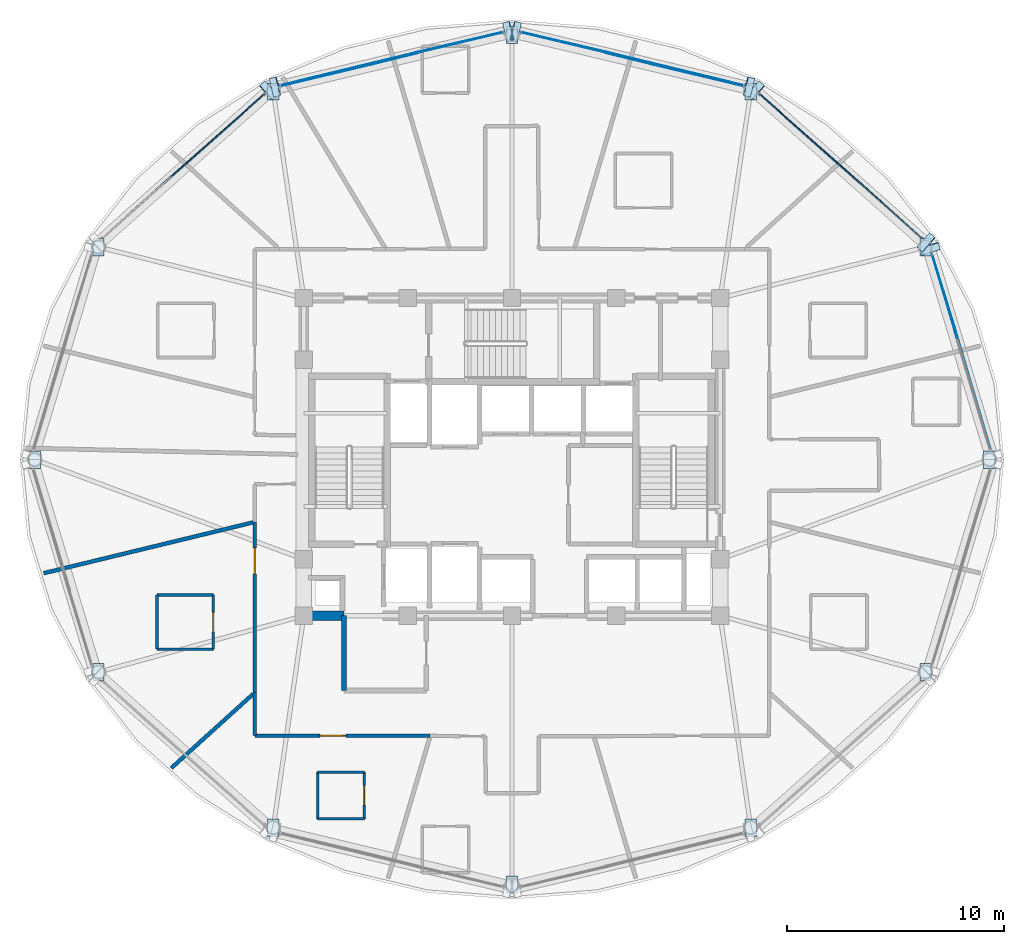
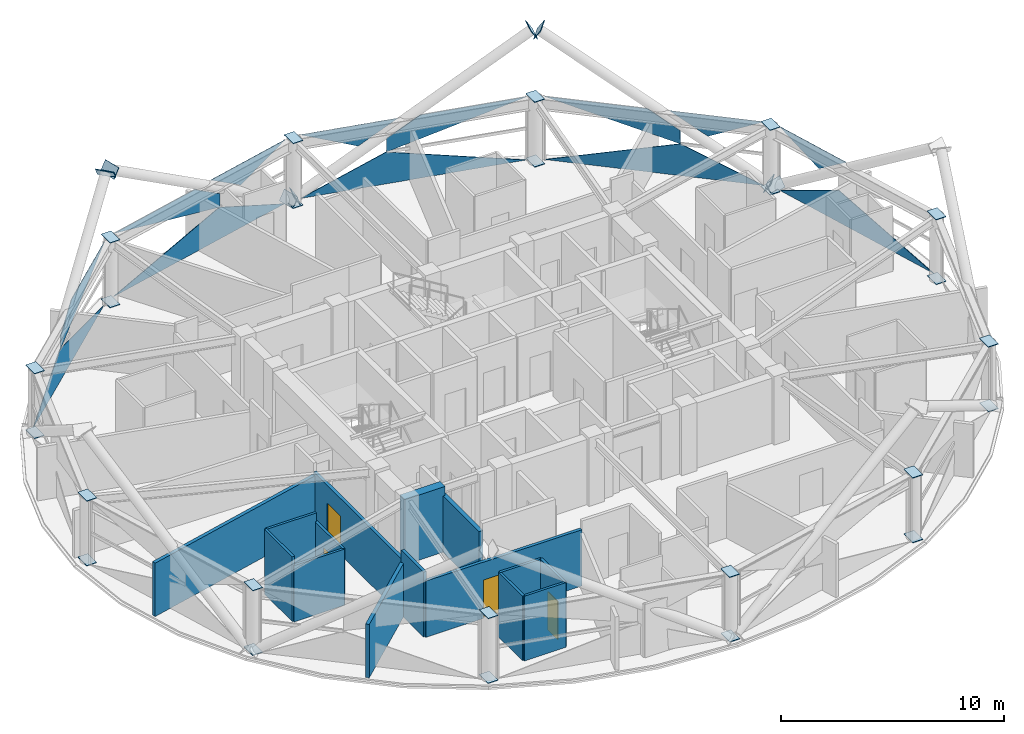
# One storey, part 21 of 29: 45 plates, 15 walls, 4 doors, 4 openings, 5 elements without a shape of their own.
"""IFC4 building model written with IfcOpenShell, lengths in metres."""

from ifc_helpers import new_model, si_unit, direction, frame, frame_2d, origin, place, context, subcontext, project, spatial, polyline, rectangle, outline, extrude, material, layer, layer_set, type_object, element, fill, aggregate, save


model = new_model("IFC4")

# Units and contexts
model_context = context("Model", 3, precision=1e-05, world=origin(), true_north=direction((0.0, 1.0)))
body_context = subcontext(model_context, "Body", "Model", "MODEL_VIEW")
ifc_project = project(units=[si_unit("LENGTHUNIT", "METRE"), si_unit("AREAUNIT", "SQUARE_METRE"), si_unit("VOLUMEUNIT", "CUBIC_METRE"), si_unit("PLANEANGLEUNIT", "RADIAN"), si_unit("MASSUNIT", "GRAM", prefix="KILO")], contexts=[model_context])

# Site, building, storey
site_placement = place(None, origin())
site = spatial("IfcSite", under=ifc_project, at=site_placement, CompositionType="ELEMENT")
building_placement = place(site_placement, origin())
building = spatial("IfcBuilding", under=site, at=building_placement, Name="Vantalir Tower", CompositionType="ELEMENT")
storey_placement = place(building_placement, frame((0.0, 0.0, 219.89990234375)))
storey = spatial("IfcBuildingStorey", under=building, at=storey_placement, Name="L55", CompositionType="ELEMENT", Elevation=219.89990234375)

# Curtain wall, plates
ifc_material_1 = material(Name="Champagne-silver PVDF aluminium and double-silver Low-E glass", Category="aluminium")
ifc_layer_1 = layer(ifc_material_1, 0.2099609375)
ifc_layer_set_1 = layer_set([ifc_layer_1], Name="Champagne-silver PVDF aluminium and double-silver Low-E glass")
curtain_wall_type = type_object("IfcCurtainWallType", Name="CW-DIAMOND-Z3", PredefinedType="USERDEFINED", material=ifc_layer_set_1)
curtain_wall_1_placement = place(storey_placement, origin())
curtain_wall_1 = element("IfcCurtainWall", 1, at=curtain_wall_1_placement, inside=storey, type_object=curtain_wall_type, Name="L55 Quilted Pyramid-Diamond Curtain Wall S01", ObjectType="UNITISED CURTAIN WALL", PredefinedType="USERDEFINED")
ifc_material_2 = material(Name="Double-silver Low-E acoustic glass IGU", Category="glass")
ifc_layer_2 = layer(ifc_material_2, 0.031982421875)
ifc_layer_set_2 = layer_set([ifc_layer_2], Name="Double-silver Low-E acoustic glass IGU")
plate_type_1 = type_object("IfcPlateType", Name="CWP-IGU-32", PredefinedType="CURTAIN_PANEL", material=ifc_layer_set_2)
plate_1_placement = place(storey_placement, frame((53.58056640625, 25.406982421875, 0.046875), z_axis=(-0.957545460034, -0.287948928144, 0.01386025788), x_axis=(-0.287976248669, 0.957637551237, 2.5751252e-05)))
plate_1 = element("IfcPlate", 2, at=plate_1_placement, type_object=plate_type_1, Name="CW-L55-S01 Pyramid Diamond Facet 1L", PredefinedType="CURTAIN_PANEL", context=body_context, shape_type="SweptSolid", body=[
    extrude(outline(polyline([(0.0, 0.0), (9.48072843506402, -3.2255014631443757e-18), (5.873310412618822, -1.725600450684051), (0.0, 0.0)])), origin(), (0.0, 0.0, -1.0), 0.031982421875),
])
plate_2_placement = place(storey_placement, frame((52.05419921875, 30.607666015625, 3.523681640625), z_axis=(0.957547937677, 0.28794366385, 0.013798315063), x_axis=(-0.287971079066, 0.957639106147, 0.0)))
plate_2 = element("IfcPlate", 3, at=plate_2_placement, type_object=plate_type_1, Name="CW-L55-S01 Pyramid Diamond Facet 2U Infill Light", PredefinedType="CURTAIN_PANEL", context=body_context, shape_type="SweptSolid", body=[
    extrude(outline(polyline([(0.0, 0.0), (4.060941110971159, 3.469446951953614e-18), (1.6584606328741354, -1.1492793347398085), (0.0, 0.0)])), origin(), (0.0, 0.0, -1.0), 0.031982421875),
])
aggregate(curtain_wall_1, [plate_1, plate_2])

curtain_wall_2_placement = place(storey_placement, origin())
curtain_wall_2 = element("IfcCurtainWall", 4, at=curtain_wall_2_placement, inside=storey, type_object=curtain_wall_type, Name="L55 Quilted Pyramid-Diamond Curtain Wall S02", ObjectType="UNITISED CURTAIN WALL", PredefinedType="USERDEFINED")
plate_3_placement = place(storey_placement, frame((50.410888671875, 35.17578125, 0.046875), z_axis=(-0.665261450361, -0.746487707124, 0.01353904634), x_axis=(-0.746556353236, 0.66532218575, -2.4328891e-05)))
plate_3 = element("IfcPlate", 5, at=plate_3_placement, type_object=plate_type_1, Name="CW-L55-S02 Pyramid Diamond Facet 1L", PredefinedType="CURTAIN_PANEL", context=body_context, shape_type="SweptSolid", body=[
    extrude(outline(polyline([(0.0, 0.0), (10.035008323591855, -5.421010862427522e-18), (3.8142440704748686, -1.7260810825309927), (0.0, 0.0)])), origin(), (0.0, 0.0, -1.0), 0.031982421875),
])
plate_4_placement = place(storey_placement, frame((46.446533203125, 38.708740234375, 3.5234375), z_axis=(0.665260984347, 0.746487929362, 0.013549687172), x_axis=(-0.746556463605, 0.66532206235, -6.1526e-08)))
plate_4 = element("IfcPlate", 6, at=plate_4_placement, type_object=plate_type_1, Name="CW-L55-S02 Pyramid Diamond Facet 2U", PredefinedType="CURTAIN_PANEL", context=body_context, shape_type="SweptSolid", body=[
    extrude(outline(polyline([(0.0, 0.0), (4.724837563716555, 6.938893903907228e-18), (-1.4958845954408355, -1.7262327810690576), (-1.4959988890085334, -0.9839774318241932), (0.0, 0.0)])), origin(), (0.0, 0.0, -1.0), 0.031982421875),
])
plate_5_placement = place(storey_placement, frame((50.434814453125, 35.20263671875, 3.523681640625), z_axis=(0.66525589067, 0.74649266221, 0.01353902491), x_axis=(-0.746561598804, 0.665316297697, 5.6656416e-05)))
plate_5 = element("IfcPlate", 7, at=plate_5_placement, type_object=plate_type_1, Name="CW-L55-S02 Pyramid Diamond Facet 2U Infill Light", PredefinedType="CURTAIN_PANEL", context=body_context, shape_type="SweptSolid", body=[
    extrude(outline(polyline([(0.0, 0.0), (4.309143439441601, 3.957337929572091e-18), (2.5525305173533726, -1.1552798052092268), (0.0, 0.0)])), origin(), (0.0, 0.0, -1.0), 0.031982421875),
])
aggregate(curtain_wall_2, [plate_3, plate_4, plate_5])

curtain_wall_3_placement = place(storey_placement, origin())
curtain_wall_3 = element("IfcCurtainWall", 8, at=curtain_wall_3_placement, inside=storey, type_object=curtain_wall_type, Name="L55 Quilted Pyramid-Diamond Curtain Wall S03", ObjectType="UNITISED CURTAIN WALL", PredefinedType="USERDEFINED")
plate_6_placement = place(storey_placement, frame((42.188720703125, 42.233642578125, 0.046630859375), z_axis=(-0.232233400525, -0.972562501405, 0.013777827875), x_axis=(-0.972654750392, 0.232255755594, 2.3110025e-05)))
plate_6 = element("IfcPlate", 9, at=plate_6_placement, type_object=plate_type_1, Name="CW-L55-S03 Pyramid Diamond Facet 1L", PredefinedType="CURTAIN_PANEL", context=body_context, shape_type="SweptSolid", body=[
    extrude(outline(polyline([(0.0, 0.0), (10.56427331575007, 4.363913744254155e-18), (6.544886132642092, -1.726330968572304), (0.0, 0.0)])), origin(), (0.0, 0.0, -1.0), 0.031982421875),
])
plate_7_placement = place(storey_placement, frame((42.188720703125, 42.233642578125, 3.523681640625), z_axis=(0.232232850442, 0.972562851595, 0.013762371649), x_axis=(-0.972654809729, 0.232255503064, -4.9075755e-05)))
plate_7 = element("IfcPlate", 10, at=plate_7_placement, type_object=plate_type_1, Name="CW-L55-S03 Pyramid Diamond Facet 2U", PredefinedType="CURTAIN_PANEL", context=body_context, shape_type="SweptSolid", body=[
    extrude(outline(polyline([(0.0, 0.0), (4.982443629568016, -2.087089182034596e-18), (6.544944140739554, -0.9797520601737163), (6.544930957435923, -1.7264051820015613), (0.0, 0.0)])), origin(), (0.0, 0.0, -1.0), 0.031982421875),
])
plate_8_placement = place(storey_placement, frame((36.343994140625, 43.666259765625, 3.52392578125), z_axis=(0.23226619267, 0.972554279712, 0.013805388684), x_axis=(-0.972646971917, 0.232288329497, 0.0)))
plate_8 = element("IfcPlate", 11, at=plate_8_placement, type_object=plate_type_1, Name="CW-L55-S03 Pyramid Diamond Facet 2U Infill Light", PredefinedType="CURTAIN_PANEL", context=body_context, shape_type="SweptSolid", body=[
    extrude(outline(polyline([(0.0, 0.0), (4.5467301178491875, -1.734723475976807e-18), (1.8479654880416123, -1.1590460027064833), (0.0, 0.0)])), origin(), (0.0, 0.0, -1.0), 0.031982421875),
])
aggregate(curtain_wall_3, [plate_6, plate_7, plate_8])

curtain_wall_4_placement = place(storey_placement, origin())
curtain_wall_4 = element("IfcCurtainWall", 12, at=curtain_wall_4_placement, inside=storey, type_object=curtain_wall_type, Name="L55 Quilted Pyramid-Diamond Curtain Wall S04", ObjectType="UNITISED CURTAIN WALL", PredefinedType="USERDEFINED")
plate_9_placement = place(storey_placement, frame((31.086669921875, 44.687255859375, 0.046875), z_axis=(0.232254227712, -0.972557284976, 0.013794968273), x_axis=(-0.972649763247, -0.232276640068, -2.3112103e-05)))
plate_9 = element("IfcPlate", 13, at=plate_9_placement, type_object=plate_type_1, Name="CW-L55-S04 Pyramid Diamond Facet 1L", PredefinedType="CURTAIN_PANEL", context=body_context, shape_type="SweptSolid", body=[
    extrude(outline(polyline([(0.0, 0.0), (10.563323460030409, -3.984442983884229e-18), (4.01914920456748, -1.7263313794420976), (0.0, 0.0)])), origin(), (0.0, 0.0, -1.0), 0.031982421875),
])
plate_10_placement = place(storey_placement, frame((25.657958984375, 43.390869140625, 3.5234375), z_axis=(-0.232256525743, 0.972557045358, 0.013773154092), x_axis=(-0.972649147278, -0.232279215371, 4.9058237e-05)))
plate_10 = element("IfcPlate", 14, at=plate_10_placement, type_object=plate_type_1, Name="CW-L55-S04 Pyramid Diamond Facet 2U", PredefinedType="CURTAIN_PANEL", context=body_context, shape_type="SweptSolid", body=[
    extrude(outline(polyline([(0.0, 0.0), (4.981968702412938, 2.710505431213761e-20), (-1.5622504132238515, -1.7264054773321333), (-1.5622633584273293, -0.9797523552485128), (0.0, 0.0)])), origin(), (0.0, 0.0, -1.0), 0.031982421875),
])
plate_11_placement = place(storey_placement, frame((31.078369140625, 44.722412109375, 3.52392578125), z_axis=(-0.232278387609, 0.972551649275, 0.013785504785), x_axis=(-0.972644074375, -0.232300461864, 0.0)))
plate_11 = element("IfcPlate", 15, at=plate_11_placement, type_object=plate_type_1, Name="CW-L55-S04 Pyramid Diamond Facet 2U Infill Light", PredefinedType="CURTAIN_PANEL", context=body_context, shape_type="SweptSolid", body=[
    extrude(outline(polyline([(0.0, 0.0), (4.546492655563253, -1.734723475976807e-18), (2.6985269680747224, -1.1590456847112593), (0.0, 0.0)])), origin(), (0.0, 0.0, -1.0), 0.031982421875),
])
aggregate(curtain_wall_4, [plate_9, plate_10, plate_11])

curtain_wall_5_placement = place(storey_placement, origin())
curtain_wall_5 = element("IfcCurtainWall", 16, at=curtain_wall_5_placement, inside=storey, type_object=curtain_wall_type, Name="L55 Quilted Pyramid-Diamond Curtain Wall S05", ObjectType="UNITISED CURTAIN WALL", PredefinedType="USERDEFINED")
plate_12_placement = place(storey_placement, frame((20.081787109375, 41.852294921875, 0.046630859375), z_axis=(0.665212679287, -0.746530278981, 0.01358800501), x_axis=(-0.746599425628, -0.665273851178, 2.4327124e-05)))
plate_12 = element("IfcPlate", 17, at=plate_12_placement, type_object=plate_type_1, Name="CW-L55-S05 Pyramid Diamond Facet 1L", PredefinedType="CURTAIN_PANEL", context=body_context, shape_type="SweptSolid", body=[
    extrude(outline(polyline([(0.0, 0.0), (10.035737403562766, -2.846030702774449e-18), (6.2213125757566905, -1.7260822266056934), (0.0, 0.0)])), origin(), (0.0, 0.0, -1.0), 0.031982421875),
])
plate_13_placement = place(storey_placement, frame((20.081787109375, 41.852294921875, 3.5234375), z_axis=(-0.665228174187, 0.746516138841, 0.013606274964), x_axis=(-0.746585252551, -0.665289756928, -2.84938e-07)))
plate_13 = element("IfcPlate", 18, at=plate_13_placement, type_object=plate_type_1, Name="CW-L55-S05 Pyramid Diamond Facet 2U", PredefinedType="CURTAIN_PANEL", context=body_context, shape_type="SweptSolid", body=[
    extrude(outline(polyline([(0.0, 0.0), (4.725202101944946, -6.938893903907228e-18), (6.221201908285872, -0.9839760324065412), (6.221270577918911, -1.7262335892923446), (0.0, 0.0)])), origin(), (0.0, 0.0, -1.0), 0.031982421875),
])
aggregate(curtain_wall_5, [plate_12, plate_13])

# Plates
ifc_material_3 = material(Name="Steel S460", Category="steel")
ifc_layer_3 = layer(ifc_material_3, 0.035888671875)
ifc_layer_set_3 = layer_set([ifc_layer_3], Name="Steel S460")
plate_type_2 = type_object("IfcPlateType", Name="PLT-KN-Z2", PredefinedType="USERDEFINED", material=ifc_layer_set_3)
for number, where, z_axis, x_axis, name in (
    (19, (50.759521484375, 35.454345703125, -0.036865234375), (-0.623687824025, 0.555779785214, 0.549656555051), (-0.665293215937, -0.746582170178, 0.0), "Node Cap Plate MEM-DG-L55-R04L Start"),
    (20, (42.8955078125, 42.462890625, 6.892333984375), (-0.623687824025, 0.555779785214, 0.549656555051), (-0.665293215937, -0.746582170178, 0.0), "Node Cap Plate MEM-DG-L55-R04L End"),
):
    element("IfcPlate", number, at=place(storey_placement, frame(where, z_axis=z_axis, x_axis=x_axis)), inside=storey, type_object=plate_type_2, Name=name, ObjectType="FLANGE_PLATE", PredefinedType="USERDEFINED", context=body_context, shape_type="SweptSolid", body=[
        extrude(outline(polyline([(0.0, 0.0), (0.8799867558024528, 0.0), (0.8800158135041058, 0.5801107473651889), (2.9057701652914416e-05, 0.5801107473651889), (0.0, 0.0)])), origin(), (0.0, 0.0, -1.0), 0.035888671875),
    ])
plate_14_placement = place(storey_placement, frame((50.408203125, 34.4287109375, -0.0283203125), z_axis=(0.236642442601, -0.786984308148, 0.569785971298), x_axis=(0.957642842649, 0.287958653149, 0.0)))
element("IfcPlate", 21, at=plate_14_placement, inside=storey, type_object=plate_type_2, Name="Node Cap Plate MEM-DG-L55-R04R Start", ObjectType="FLANGE_PLATE", PredefinedType="USERDEFINED", context=body_context, shape_type="SweptSolid", body=[
    extrude(outline(polyline([(0.0, 0.0), (0.8800498473614676, 0.0), (0.8799799513282002, 0.579905675976873), (-6.989603326747949e-05, 0.579905675976873), (0.0, 0.0)])), origin(), (0.0, 0.0, -1.0), 0.035888671875),
])
for number, where, z_axis, x_axis, name in (
    (22, (31.06005859375, 45.13330078125, -0.04443359375), (-0.824018678436, -0.196720945194, 0.531313548962), (0.232208086854, -0.972666132031, 0.0), "Node Cap Plate MEM-DG-L55-R10L Start"),
    (23, (20.30517578125, 42.56494140625, 6.892333984375), (-0.824018678436, -0.196720945194, 0.531313548962), (0.232208086854, -0.972666132031, 0.0), "Node Cap Plate MEM-DG-L55-R10L End"),
):
    element("IfcPlate", number, at=place(storey_placement, frame(where, z_axis=z_axis, x_axis=x_axis)), inside=storey, type_object=plate_type_2, Name=name, ObjectType="FLANGE_PLATE", PredefinedType="USERDEFINED", context=body_context, shape_type="SweptSolid", body=[
        extrude(outline(polyline([(0.0, 0.0), (0.8800111395499287, 1.3877787807814457e-17), (0.8800502884687683, 0.5801102844102207), (3.9148918839590485e-05, 0.5801102844102207), (0.0, 0.0)])), origin(), (0.0, 0.0, -1.0), 0.035888671875),
    ])
for number, where, z_axis, x_axis, name in (
    (24, (31.735595703125, 44.27734375, -0.04443359375), (0.824018678436, -0.196720945194, 0.531313548962), (0.232208086854, 0.972666132031, 0.0), "Node Cap Plate MEM-DG-L55-R10R Start"),
    (25, (42.491455078125, 41.708984375, 6.892333984375), (0.824018678436, -0.196720945194, 0.531313548962), (0.232208086854, 0.972666132031, 0.0), "Node Cap Plate MEM-DG-L55-R10R End"),
):
    element("IfcPlate", number, at=place(storey_placement, frame(where, z_axis=z_axis, x_axis=x_axis)), inside=storey, type_object=plate_type_2, Name=name, ObjectType="FLANGE_PLATE", PredefinedType="USERDEFINED", context=body_context, shape_type="SweptSolid", body=[
        extrude(outline(polyline([(0.0, 0.0), (0.8800111395499287, -1.3877787807814457e-17), (0.8799719906310891, 0.5801102844102207), (-3.9148918839590485e-05, 0.5801102844102207), (0.0, 0.0)])), origin(), (0.0, 0.0, -1.0), 0.035888671875),
    ])
plate_15_placement = place(storey_placement, frame((20.69091796875, 41.805908203125, 6.892333984375), z_axis=(0.623687824025, 0.555779785214, 0.549656555051), x_axis=(-0.665293215937, 0.746582170178, 0.0)))
element("IfcPlate", 26, at=plate_15_placement, inside=storey, type_object=plate_type_2, Name="Node Cap Plate MEM-DG-L55-R16R End", ObjectType="FLANGE_PLATE", PredefinedType="USERDEFINED", context=body_context, shape_type="SweptSolid", body=[
    extrude(outline(polyline([(0.0, 0.0), (0.8799867558024528, 0.0), (0.8799576981007999, 0.5801107473651889), (-2.9057701652914416e-05, 0.5801107473651889), (0.0, 0.0)])), origin(), (0.0, 0.0, -1.0), 0.035888671875),
])
ifc_layer_4 = layer(ifc_material_3, 0.031982421875)
ifc_layer_set_4 = layer_set([ifc_layer_4], Name="Steel S460")
plate_type_3 = type_object("IfcPlateType", Name="PLT-KN-Z3", PredefinedType="USERDEFINED", material=ifc_layer_set_4)
for number, where, z_axis, x_axis, name in (
    (27, (53.2529296875, 25.39990234375, 3.593994140625), (0.0, 0.0, 1.0), (0.0, -1.0, 0.0), "L55 Ring Column Top Cap RC01"),
    (28, (53.2529296875, 25.39990234375, 0.052978515625), (0.0, 0.0, 1.0), (0.0, -1.0, 0.0), "L55 Ring Column Base Cap RC01"),
):
    element("IfcPlate", number, at=place(storey_placement, frame(where, z_axis=z_axis, x_axis=x_axis)), inside=storey, type_object=plate_type_3, Name=name, ObjectType="FLANGE_PLATE", PredefinedType="USERDEFINED", context=body_context, shape_type="SweptSolid", body=[
        extrude(outline(polyline([(0.0, 0.0), (0.7998046875, 0.0), (0.7998046875, 0.52001953125), (0.0, 0.52001953125), (0.0, 0.0)])), origin(), (0.0, 0.0, -1.0), 0.031982421875),
    ])
for number, where, z_axis, x_axis, name in (
    (29, (50.303955078125, 35.197998046875, 3.593994140625), (0.0, 0.0, 1.0), (0.0, -1.0, 0.0), "L55 Ring Column Top Cap RC02"),
    (30, (50.303955078125, 35.197998046875, 0.052978515625), (0.0, 0.0, 1.0), (0.0, -1.0, 0.0), "L55 Ring Column Base Cap RC02"),
    (31, (42.24609375, 42.37109375, 3.593994140625), (0.0, 0.0, 1.0), (0.0, -1.0, 0.0), "L55 Ring Column Top Cap RC03"),
    (32, (42.24609375, 42.37109375, 0.052978515625), (0.0, 0.0, 1.0), (0.0, -1.0, 0.0), "L55 Ring Column Base Cap RC03"),
    (33, (31.239990234375, 44.99609375, 3.593994140625), (0.0, 0.0, 1.0), (0.0, -1.0, 0.0), "L55 Ring Column Top Cap RC04"),
    (34, (31.239990234375, 44.99609375, 0.052978515625), (0.0, 0.0, 1.0), (0.0, -1.0, 0.0), "L55 Ring Column Base Cap RC04"),
    (35, (20.23388671875, 42.37109375, 3.593994140625), (0.0, 0.0, 1.0), (0.0, -1.0, 0.0), "L55 Ring Column Top Cap RC05"),
    (36, (20.23388671875, 42.37109375, 0.052978515625), (0.0, 0.0, 1.0), (0.0, -1.0, 0.0), "L55 Ring Column Base Cap RC05"),
    (37, (12.176025390625, 35.197998046875, 3.593994140625), (0.0, 0.0, 1.0), (0.0, -1.0, 0.0), "L55 Ring Column Top Cap RC06"),
    (38, (12.176025390625, 35.197998046875, 0.052978515625), (0.0, 0.0, 1.0), (0.0, -1.0, 0.0), "L55 Ring Column Base Cap RC06"),
):
    element("IfcPlate", number, at=place(storey_placement, frame(where, z_axis=z_axis, x_axis=x_axis)), inside=storey, type_object=plate_type_3, Name=name, ObjectType="FLANGE_PLATE", PredefinedType="USERDEFINED", context=body_context, shape_type="SweptSolid", body=[
        extrude(outline(polyline([(0.0, 0.0), (0.800048828125, 0.0), (0.800048828125, 0.52001953125), (0.0, 0.52001953125), (0.0, 0.0)])), origin(), (0.0, 0.0, -1.0), 0.031982421875),
    ])
for number, where, z_axis, x_axis, name in (
    (39, (9.22705078125, 25.39990234375, 3.593994140625), (0.0, 0.0, 1.0), (0.0, -1.0, 0.0), "L55 Ring Column Top Cap RC07"),
    (40, (9.22705078125, 25.39990234375, 0.052978515625), (0.0, 0.0, 1.0), (0.0, -1.0, 0.0), "L55 Ring Column Base Cap RC07"),
):
    element("IfcPlate", number, at=place(storey_placement, frame(where, z_axis=z_axis, x_axis=x_axis)), inside=storey, type_object=plate_type_3, Name=name, ObjectType="FLANGE_PLATE", PredefinedType="USERDEFINED", context=body_context, shape_type="SweptSolid", body=[
        extrude(outline(polyline([(0.0, 0.0), (0.7998046875, 0.0), (0.7998046875, 0.52001953125), (0.0, 0.52001953125), (0.0, 0.0)])), origin(), (0.0, 0.0, -1.0), 0.031982421875),
    ])
for number, where, z_axis, x_axis, name in (
    (41, (12.176025390625, 15.60205078125, 3.593994140625), (0.0, 0.0, 1.0), (0.0, -1.0, 0.0), "L55 Ring Column Top Cap RC08"),
    (42, (12.176025390625, 15.60205078125, 0.052978515625), (0.0, 0.0, 1.0), (0.0, -1.0, 0.0), "L55 Ring Column Base Cap RC08"),
    (43, (20.23291015625, 8.428955078125, 3.593994140625), (0.0, 0.0, 1.0), (0.0, -1.0, 0.0), "L55 Ring Column Top Cap RC09"),
    (44, (20.23291015625, 8.428955078125, 0.052978515625), (0.0, 0.0, 1.0), (0.0, -1.0, 0.0), "L55 Ring Column Base Cap RC09"),
    (45, (31.239990234375, 5.803955078125, 3.593994140625), (0.0, 0.0, 1.0), (0.0, -1.0, 0.0), "L55 Ring Column Top Cap RC10"),
    (46, (31.239990234375, 5.803955078125, 0.052978515625), (0.0, 0.0, 1.0), (0.0, -1.0, 0.0), "L55 Ring Column Base Cap RC10"),
    (47, (42.24609375, 8.428955078125, 3.593994140625), (0.0, 0.0, 1.0), (0.0, -1.0, 0.0), "L55 Ring Column Top Cap RC11"),
    (48, (42.24609375, 8.428955078125, 0.052978515625), (0.0, 0.0, 1.0), (0.0, -1.0, 0.0), "L55 Ring Column Base Cap RC11"),
    (49, (50.303955078125, 15.60205078125, 3.593994140625), (0.0, 0.0, 1.0), (0.0, -1.0, 0.0), "L55 Ring Column Top Cap RC12"),
    (50, (50.303955078125, 15.60205078125, 0.052978515625), (0.0, 0.0, 1.0), (0.0, -1.0, 0.0), "L55 Ring Column Base Cap RC12"),
):
    element("IfcPlate", number, at=place(storey_placement, frame(where, z_axis=z_axis, x_axis=x_axis)), inside=storey, type_object=plate_type_3, Name=name, ObjectType="FLANGE_PLATE", PredefinedType="USERDEFINED", context=body_context, shape_type="SweptSolid", body=[
        extrude(outline(polyline([(0.0, 0.0), (0.800048828125, 0.0), (0.800048828125, 0.52001953125), (0.0, 0.52001953125), (0.0, 0.0)])), origin(), (0.0, 0.0, -1.0), 0.031982421875),
    ])

# Walls
ifc_material_4 = material(Name="Moisture-resistant en-suite partition", Category="gypsum")
ifc_layer_5 = layer(ifc_material_4, 0.125)
ifc_layer_set_5 = layer_set([ifc_layer_5], Name="Moisture-resistant en-suite partition")
wall_type_1 = type_object("IfcWallType", Name="WL-BATH-125", PredefinedType="PARTITIONING", material=ifc_layer_set_5)
wall_1_placement = place(storey_placement, frame((15.125, 16.256103515625, 0.0), z_axis=(0.0, 0.0, 1.0), x_axis=(1.0, 0.0, 0.0)))
element("IfcWall", 51, at=wall_1_placement, inside=storey, type_object=wall_type_1, Name="L55 En-suite 09 South Wall", PredefinedType="PARTITIONING", context=body_context, shape_type="SweptSolid", body=[
    extrude(rectangle(XDim=2.60009765625, YDim=0.125, at=frame_2d((1.300048828125, 0.0))), origin(), (0.0, 0.0, 1.0), 3.0810546875),
])
wall_2_placement = place(storey_placement, frame((15.125, 18.756103515625, 0.0), z_axis=(0.0, 0.0, 1.0), x_axis=(1.0, 0.0, 0.0)))
element("IfcWall", 52, at=wall_2_placement, inside=storey, type_object=wall_type_1, Name="L55 En-suite 09 North Wall", PredefinedType="PARTITIONING", context=body_context, shape_type="SweptSolid", body=[
    extrude(rectangle(XDim=2.60009765625, YDim=0.125, at=frame_2d((1.300048828125, 0.0))), origin(), (0.0, 0.0, 1.0), 3.550048828125),
])
wall_3_placement = place(storey_placement, frame((15.125, 16.256103515625, 0.0), z_axis=(0.0, 0.0, 1.0), x_axis=(0.0, 1.0, 0.0)))
element("IfcWall", 53, at=wall_3_placement, inside=storey, type_object=wall_type_1, Name="L55 En-suite 09 West Wall", PredefinedType="PARTITIONING", context=body_context, shape_type="SweptSolid", body=[
    extrude(rectangle(XDim=2.5, YDim=0.125, at=frame_2d((1.25, 0.0))), origin(), (0.0, 0.0, 1.0), 3.550048828125),
])

# Wall, opening, door
wall_4_placement = place(storey_placement, frame((17.72509765625, 16.256103515625, 0.0), z_axis=(0.0, 0.0, 1.0), x_axis=(0.0, 1.0, 0.0)))
wall_4 = element("IfcWall", 54, at=wall_4_placement, inside=storey, type_object=wall_type_1, Name="L55 En-suite 09 East Wall", PredefinedType="PARTITIONING", context=body_context, shape_type="SweptSolid", body=[
    extrude(rectangle(XDim=2.5, YDim=0.125, at=frame_2d((1.25, 0.0))), origin(), (0.0, 0.0, 1.0), 3.0810546875),
])
opening_1_placement = place(wall_4_placement, frame((0.800048828125, 0.0, 0.0)))
opening_1 = element("IfcOpeningElement", 55, at=opening_1_placement, cuts=wall_4, Name="Opening D-WC", PredefinedType="OPENING", context=body_context, shape_type="SweptSolid", body=[
    extrude(rectangle(XDim=0.89990234375, YDim=2.10009765625, at=frame_2d((0.449951171875, 1.050048828125))), frame((0.0, 0.072509765625, 0.0), z_axis=(0.0, -1.0, 0.0), x_axis=(1.0, 0.0, 0.0)), (0.0, 0.0, 1.0), 0.14501953125),
])
ifc_material_5 = material(Name="Moisture-resistant hardwood door", Category="wood")
door_type_1 = type_object("IfcDoorType", Name="DR-ENSUITE-900", OperationType="NOTDEFINED", PredefinedType="DOOR", material=ifc_material_5)
door_1_placement = place(opening_1_placement, origin())
door_1 = element("IfcDoor", 56, at=door_1_placement, inside=storey, type_object=door_type_1, Name="L55 En-suite 09 Door", OperationType="SINGLE_SWING_LEFT", OverallHeight=2.10009765625, OverallWidth=0.89990234375, PredefinedType="DOOR", context=body_context, shape_type="SweptSolid", body=[
    extrude(rectangle(XDim=0.89990234375, YDim=2.10009765625, at=frame_2d((0.449951171875, 1.050048828125))), frame((0.0, 0.02490234375, 0.0), z_axis=(0.0, -1.0, 0.0), x_axis=(1.0, 0.0, 0.0)), (0.0, 0.0, 1.0), 0.050048828125),
])
fill(opening_1, door_1)

# Walls
for number, where, z_axis, x_axis, name in (
    (57, (22.5400390625, 8.43603515625, 0.0), (0.0, 0.0, 1.0), (1.0, 0.0, 0.0), "L55 En-suite 10 South Wall"),
    (58, (22.5400390625, 10.5859375, 0.0), (0.0, 0.0, 1.0), (1.0, 0.0, 0.0), "L55 En-suite 10 North Wall"),
    (59, (22.5400390625, 8.43603515625, 0.0), (0.0, 0.0, 1.0), (0.0, 1.0, 0.0), "L55 En-suite 10 West Wall"),
):
    element("IfcWall", number, at=place(storey_placement, frame(where, z_axis=z_axis, x_axis=x_axis)), inside=storey, type_object=wall_type_1, Name=name, PredefinedType="PARTITIONING", context=body_context, shape_type="SweptSolid", body=[
        extrude(rectangle(XDim=2.14990234375, YDim=0.125, at=frame_2d((1.074951171875, 0.0))), origin(), (0.0, 0.0, 1.0), 3.550048828125),
    ])

# Wall, opening, door
wall_5_placement = place(storey_placement, frame((24.68994140625, 8.43603515625, 0.0), z_axis=(0.0, 0.0, 1.0), x_axis=(0.0, 1.0, 0.0)))
wall_5 = element("IfcWall", 60, at=wall_5_placement, inside=storey, type_object=wall_type_1, Name="L55 En-suite 10 East Wall", PredefinedType="PARTITIONING", context=body_context, shape_type="SweptSolid", body=[
    extrude(rectangle(XDim=2.14990234375, YDim=0.125, at=frame_2d((1.074951171875, 0.0))), origin(), (0.0, 0.0, 1.0), 3.550048828125),
])
opening_2_placement = place(wall_5_placement, frame((0.625, 0.0, 0.0)))
opening_2 = element("IfcOpeningElement", 61, at=opening_2_placement, cuts=wall_5, Name="Opening D-WC", PredefinedType="OPENING", context=body_context, shape_type="SweptSolid", body=[
    extrude(rectangle(XDim=0.89990234375, YDim=2.10009765625, at=frame_2d((0.449951171875, 1.050048828125))), frame((0.0, 0.072509765625, 0.0), z_axis=(0.0, -1.0, 0.0), x_axis=(1.0, 0.0, 0.0)), (0.0, 0.0, 1.0), 0.14501953125),
])
door_2_placement = place(opening_2_placement, origin())
door_2 = element("IfcDoor", 62, at=door_2_placement, inside=storey, type_object=door_type_1, Name="L55 En-suite 10 Door", OperationType="SINGLE_SWING_RIGHT", OverallHeight=2.10009765625, OverallWidth=0.89990234375, PredefinedType="DOOR", context=body_context, shape_type="SweptSolid", body=[
    extrude(rectangle(XDim=0.89990234375, YDim=2.10009765625, at=frame_2d((0.449951171875, 1.050048828125))), frame((0.0, 0.02490234375, 0.0), z_axis=(0.0, -1.0, 0.0), x_axis=(1.0, 0.0, 0.0)), (0.0, 0.0, 1.0), 0.050048828125),
])
fill(opening_2, door_2)

# Wall
ifc_material_6 = material(Name="Concrete C50/60", Category="concrete")
ifc_layer_6 = layer(ifc_material_6, 0.449951171875)
ifc_layer_set_6 = layer_set([ifc_layer_6], Name="Concrete C50/60")
wall_type_2 = type_object("IfcWallType", Name="WL-CORE-450", PredefinedType="SHEAR", material=ifc_layer_set_6)
wall_6_placement = place(storey_placement, frame((21.675048828125, 17.800048828125, 0.0), z_axis=(0.0, 0.0, 1.0), x_axis=(1.0, 0.0, 0.0)))
element("IfcWall", 63, at=wall_6_placement, inside=storey, type_object=wall_type_2, Name="L55 Core Shear Wall South-West", PredefinedType="SHEAR", context=body_context, shape_type="SweptSolid", body=[
    extrude(rectangle(XDim=2.074951171875, YDim=0.449951171875, at=frame_2d((1.03759765625, 0.0))), origin(), (0.0, 0.0, 1.0), 3.570068359375),
])

# Wall, opening, door
ifc_material_7 = material(Name="Fire-rated hotel corridor acoustic partition", Category="gypsum")
ifc_layer_7 = layer(ifc_material_7, 0.159912109375)
ifc_layer_set_7 = layer_set([ifc_layer_7], Name="Fire-rated hotel corridor acoustic partition")
wall_type_3 = type_object("IfcWallType", Name="WL-CORR-160", PredefinedType="PARTITIONING", material=ifc_layer_set_7)
wall_7_placement = place(storey_placement, frame((27.72802734375, 12.2548828125, 0.0), z_axis=(0.0, 0.0, 1.0), x_axis=(-0.999998015551, 0.001992208308, 0.0)))
wall_7 = element("IfcWall", 64, at=wall_7_placement, inside=storey, type_object=wall_type_3, Name="L55 Corridor Partition 28", PredefinedType="PARTITIONING", context=body_context, shape_type="SweptSolid", body=[
    extrude(rectangle(XDim=8.088134765625, YDim=0.159912109375, at=frame_2d((4.0439453125, 0.0))), origin(), (0.0, 0.0, 1.0), 3.0810546875),
])
opening_3_placement = place(wall_7_placement, frame((3.89208984375, 0.0, 0.0)))
opening_3 = element("IfcOpeningElement", 65, at=opening_3_placement, cuts=wall_7, Name="Opening D-STE", PredefinedType="OPENING", context=body_context, shape_type="SweptSolid", body=[
    extrude(rectangle(XDim=1.199951171875, YDim=2.10009765625, at=frame_2d((0.60009765625, 1.050048828125))), frame((0.0, 0.08984375, 0.0), z_axis=(0.0, -1.0, 0.0), x_axis=(1.0, 0.0, 0.0)), (0.0, 0.0, 1.0), 0.179931640625),
])
ifc_material_8 = material(Name="Solid-core teak veneer suite entrance door", Category="wood")
door_type_2 = type_object("IfcDoorType", Name="DR-SUITE-ENTRY-1200", OperationType="NOTDEFINED", PredefinedType="DOOR", material=ifc_material_8)
door_3_placement = place(opening_3_placement, origin())
door_3 = element("IfcDoor", 66, at=door_3_placement, inside=storey, type_object=door_type_2, Name="L55 Executive Club Hotel Suite 10 Door", OperationType="SINGLE_SWING_RIGHT", OverallHeight=2.10009765625, OverallWidth=1.199951171875, PredefinedType="DOOR", context=body_context, shape_type="SweptSolid", body=[
    extrude(rectangle(XDim=1.199951171875, YDim=2.10009765625, at=frame_2d((0.60009765625, 1.050048828125))), frame((0.0, 0.02490234375, 0.0), z_axis=(0.0, -1.0, 0.0), x_axis=(1.0, 0.0, 0.0)), (0.0, 0.0, 1.0), 0.050048828125),
])
fill(opening_3, door_3)

# Wall
wall_8_placement = place(storey_placement, frame((19.639892578125, 12.27099609375, 0.0), z_axis=(0.0, 0.0, 1.0), x_axis=(-0.000490978215, 0.99999987947, 0.0)))
element("IfcWall", 67, at=wall_8_placement, inside=storey, type_object=wall_type_3, Name="L55 Corridor Partition 29", PredefinedType="PARTITIONING", context=body_context, shape_type="SweptSolid", body=[
    extrude(rectangle(XDim=1.989013671875, YDim=0.159912109375, at=frame_2d((0.99462890625, 0.0))), origin(), (0.0, 0.0, 1.0), 3.550048828125),
])

# Wall, opening, door
wall_9_placement = place(storey_placement, frame((19.638916015625, 14.260009765625, 0.0), z_axis=(0.0, 0.0, 1.0), x_axis=(-0.000372682356, 0.999999930554, 0.0)))
wall_9 = element("IfcWall", 68, at=wall_9_placement, inside=storey, type_object=wall_type_3, Name="L55 Corridor Partition 30", PredefinedType="PARTITIONING", context=body_context, shape_type="SweptSolid", body=[
    extrude(rectangle(XDim=7.861083984375, YDim=0.159912109375, at=frame_2d((3.9306640625, 0.0))), origin(), (0.0, 0.0, 1.0), 3.0810546875),
])
opening_4_placement = place(wall_9_placement, frame((5.468994140625, 0.0, 0.0)))
opening_4 = element("IfcOpeningElement", 69, at=opening_4_placement, cuts=wall_9, Name="Opening D-STE", PredefinedType="OPENING", context=body_context, shape_type="SweptSolid", body=[
    extrude(rectangle(XDim=1.199951171875, YDim=2.10009765625, at=frame_2d((0.60009765625, 1.050048828125))), frame((0.0, 0.08984375, 0.0), z_axis=(0.0, -1.0, 0.0), x_axis=(1.0, 0.0, 0.0)), (0.0, 0.0, 1.0), 0.179931640625),
])
door_4_placement = place(opening_4_placement, origin())
door_4 = element("IfcDoor", 70, at=door_4_placement, inside=storey, type_object=door_type_2, Name="L55 Corner Panorama Hotel Suite 09 Door", OperationType="SINGLE_SWING_LEFT", OverallHeight=2.10009765625, OverallWidth=1.199951171875, PredefinedType="DOOR", context=body_context, shape_type="SweptSolid", body=[
    extrude(rectangle(XDim=1.199951171875, YDim=2.10009765625, at=frame_2d((0.60009765625, 1.050048828125))), frame((0.0, 0.02490234375, 0.0), z_axis=(0.0, -1.0, 0.0), x_axis=(1.0, 0.0, 0.0)), (0.0, 0.0, 1.0), 0.050048828125),
])
fill(opening_4, door_4)

# Walls
ifc_material_9 = material(Name="Concrete blockwork with fireboard lining", Category="masonry")
ifc_layer_8 = layer(ifc_material_9, 0.219970703125)
ifc_layer_set_8 = layer_set([ifc_layer_8], Name="Concrete blockwork with fireboard lining")
wall_type_4 = type_object("IfcWallType", Name="WL-FFL-220", PredefinedType="PARTITIONING", material=ifc_layer_set_8)
wall_10_placement = place(storey_placement, frame((23.75, 14.35009765625, 0.0), z_axis=(0.0, 0.0, 1.0), x_axis=(0.0, 1.0, 0.0)))
element("IfcWall", 71, at=wall_10_placement, inside=storey, type_object=wall_type_4, Name="L55 Firefighting Lobby West Outer W", PredefinedType="PARTITIONING", context=body_context, shape_type="SweptSolid", body=[
    extrude(rectangle(XDim=3.449951171875, YDim=0.219970703125, at=frame_2d((1.72509765625, 0.0))), origin(), (0.0, 0.0, 1.0), 3.0810546875),
])
ifc_material_10 = material(Name="Twin-stud acoustic fire-rated gypsum partition", Category="gypsum")
ifc_layer_9 = layer(ifc_material_10, 0.179931640625)
ifc_layer_set_9 = layer_set([ifc_layer_9], Name="Twin-stud acoustic fire-rated gypsum partition")
wall_type_5 = type_object("IfcWallType", Name="WL-GUEST-180", PredefinedType="PARTITIONING", material=ifc_layer_set_9)
wall_11_placement = place(storey_placement, frame((19.56005859375, 22.10302734375, 0.0), z_axis=(0.0, 0.0, 1.0), x_axis=(-0.97180626126, -0.235780810447, 0.0)))
element("IfcWall", 72, at=wall_11_placement, inside=storey, type_object=wall_type_5, Name="L55 Radial Suite Partition 09", PredefinedType="PARTITIONING", context=body_context, shape_type="SweptSolid", body=[
    extrude(rectangle(XDim=9.93310546875, YDim=0.179931640625, at=frame_2d((4.966552734375, 0.0))), origin(), (0.0, 0.0, 1.0), 2.925048828125),
])
wall_12_placement = place(storey_placement, frame((19.56005859375, 14.18896484375, 0.0), z_axis=(0.0, 0.0, 1.0), x_axis=(-0.741275158448, -0.671201265991, 0.0)))
element("IfcWall", 73, at=wall_12_placement, inside=storey, type_object=wall_type_5, Name="L55 Radial Suite Partition 10", PredefinedType="PARTITIONING", context=body_context, shape_type="SweptSolid", body=[
    extrude(rectangle(XDim=5.083251953125, YDim=0.179931640625, at=frame_2d((2.54150390625, 0.0))), origin(), (0.0, 0.0, 1.0), 2.925048828125),
])

save(model, "model.ifc")
